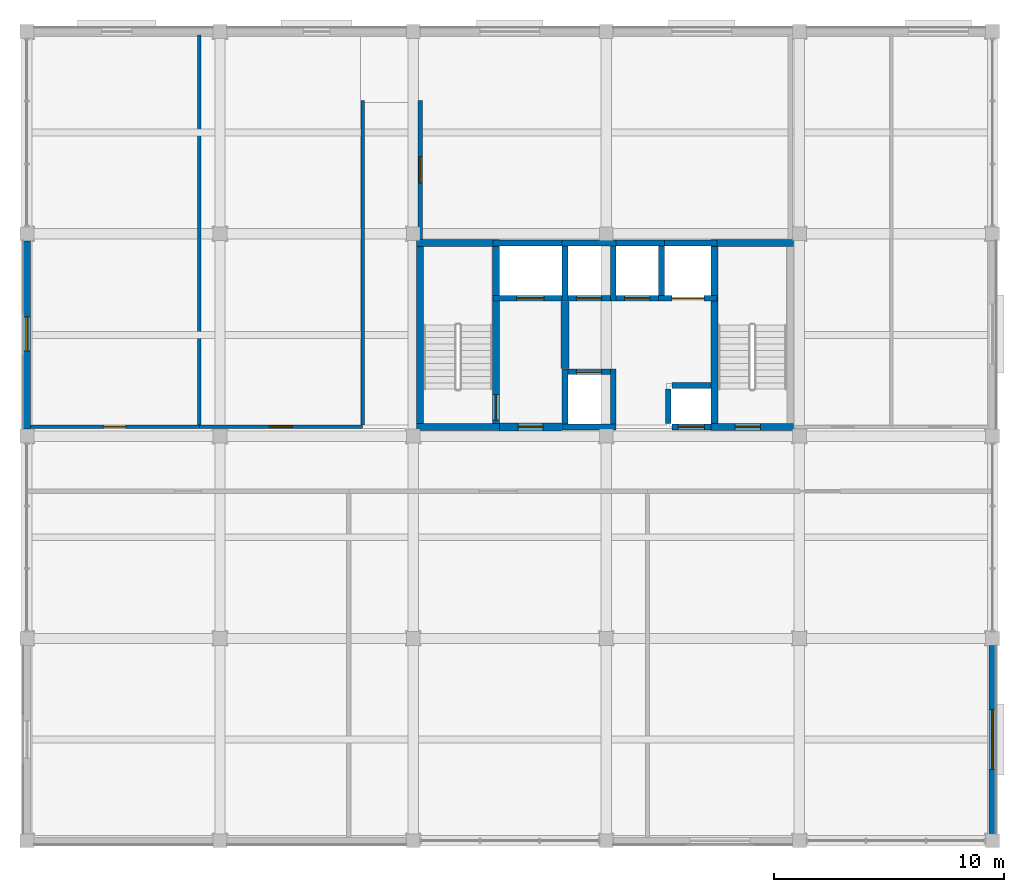
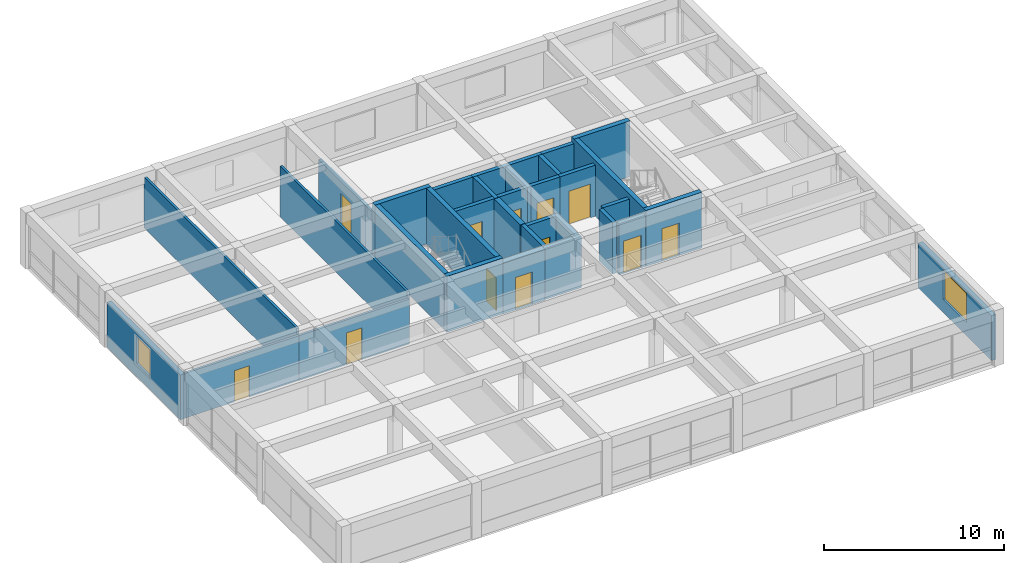
# One storey, part 8 of 14: 34 walls, 12 doors, 2 windows, 14 openings.
"""IFC4 building model written with IfcOpenShell, lengths in metres."""

from ifc_helpers import new_model, si_unit, direction, frame, frame_2d, origin, place, context, subcontext, project, spatial, rectangle, extrude, material, layer, layer_set, type_object, element, fill, save


model = new_model("IFC4")

# Units and contexts
model_context = context("Model", 3, precision=1e-05, world=origin(), true_north=direction((0.0, 1.0)))
body_context = subcontext(model_context, "Body", "Model", "MODEL_VIEW")
ifc_project = project(units=[si_unit("LENGTHUNIT", "METRE"), si_unit("AREAUNIT", "SQUARE_METRE"), si_unit("VOLUMEUNIT", "CUBIC_METRE"), si_unit("PLANEANGLEUNIT", "RADIAN"), si_unit("MASSUNIT", "GRAM", prefix="KILO")], contexts=[model_context])

# Site, building, storey
site_placement = place(None, origin())
site = spatial("IfcSite", under=ifc_project, at=site_placement, CompositionType="ELEMENT")
building_placement = place(site_placement, origin())
building = spatial("IfcBuilding", under=site, at=building_placement, Name="Kemercrest Conservatory and Botanical Centre", CompositionType="ELEMENT")
storey_placement = place(building_placement, frame((0.0, 0.0, 44.39990234375)))
storey = spatial("IfcBuildingStorey", under=building, at=storey_placement, Name="L11", CompositionType="ELEMENT", Elevation=44.39990234375)

# Wall
ifc_material_1 = material(Name="Concrete C50/60", Category="concrete")
ifc_layer_1 = layer(ifc_material_1, 0.35009765625)
ifc_layer_set_1 = layer_set([ifc_layer_1], Name="Concrete C50/60")
wall_type_1 = type_object("IfcWallType", Name="CW-CORE", PredefinedType="SHEAR", material=ifc_layer_set_1)
wall_1_placement = place(storey_placement, frame((157.39990234375, 107.75, 0.0), z_axis=(0.0, 0.0, 1.0), x_axis=(0.0, 1.0, 0.0)))
element("IfcWall", 1, at=wall_1_placement, inside=storey, type_object=wall_type_1, Name="Firefighting lift lobby 2-hour separation shear wall", PredefinedType="SHEAR", context=body_context, shape_type="SweptSolid", body=[
    extrude(rectangle(XDim=2.89990234375, YDim=0.35009765625, at=frame_2d((1.449951171875, 0.0))), origin(), (0.0, 0.0, 1.0), 3.47998046875),
])

# Wall, opening, door
wall_2_placement = place(storey_placement, frame((154.550048828125, 105.199951171875, 0.0), z_axis=(0.0, 0.0, 1.0), x_axis=(1.0, 0.0, 0.0)))
wall_2 = element("IfcWall", 2, at=wall_2_placement, inside=storey, type_object=wall_type_1, Name="Firefighting lift lobby south shear wall", PredefinedType="SHEAR", context=body_context, shape_type="SweptSolid", body=[
    extrude(rectangle(XDim=2.699951171875, YDim=0.35009765625, at=frame_2d((1.35009765625, 0.0))), origin(), (0.0, 0.0, 1.0), 3.47998046875),
])
opening_1_placement = place(wall_2_placement, frame((0.800048828125, 0.0, 0.0)))
opening_1 = element("IfcOpeningElement", 3, at=opening_1_placement, cuts=wall_2, Name="Opening D093", PredefinedType="OPENING", context=body_context, shape_type="SweptSolid", body=[
    extrude(rectangle(XDim=1.10009765625, YDim=2.199951171875, at=frame_2d((0.550048828125, 1.10009765625))), frame((0.0, 0.18505859375, 0.0), z_axis=(0.0, -1.0, 0.0), x_axis=(1.0, 0.0, 0.0)), (0.0, 0.0, 1.0), 0.3701171875),
])
ifc_material_2 = material(Name="Powder-coated galvanized steel and fire-rated vision glass", Category="steel")
door_type_1 = type_object("IfcDoorType", Name="DT-FD90", OperationType="NOTDEFINED", PredefinedType="DOOR", material=ifc_material_2)
door_1_placement = place(opening_1_placement, origin())
door_1 = element("IfcDoor", 4, at=door_1_placement, inside=storey, type_object=door_type_1, Name="Firefighting lift lobby corridor fire door D093", OperationType="SINGLE_SWING_LEFT", OverallHeight=2.199951171875, OverallWidth=1.10009765625, PredefinedType="DOOR", context=body_context, shape_type="SweptSolid", body=[
    extrude(rectangle(XDim=1.10009765625, YDim=2.199951171875, at=frame_2d((0.550048828125, 1.10009765625))), frame((0.0, 0.02490234375, 0.0), z_axis=(0.0, -1.0, 0.0), x_axis=(1.0, 0.0, 0.0)), (0.0, 0.0, 1.0), 0.050048828125),
])
fill(opening_1, door_1)

# Walls
ifc_layer_2 = layer(ifc_material_1, 0.300048828125)
ifc_layer_set_2 = layer_set([ifc_layer_2], Name="Concrete C50/60")
wall_type_2 = type_object("IfcWallType", Name="CW-STAIR", PredefinedType="SHEAR", material=ifc_layer_set_2)
for number, where, z_axis, x_axis, name in (
    (5, (150.949951171875, 105.199951171875, 0.0), (0.0, 0.0, 1.0), (1.0, 0.0, 0.0), "Stair core ST-V4A shear wall S"),
    (6, (150.949951171875, 113.199951171875, 0.0), (0.0, 0.0, 1.0), (1.0, 0.0, 0.0), "Stair core ST-V4A shear wall N"),
):
    element("IfcWall", number, at=place(storey_placement, frame(where, z_axis=z_axis, x_axis=x_axis)), inside=storey, type_object=wall_type_2, Name=name, PredefinedType="SHEAR", context=body_context, shape_type="SweptSolid", body=[
        extrude(rectangle(XDim=3.60009765625, YDim=0.300048828125, at=frame_2d((1.800048828125, 0.0))), origin(), (0.0, 0.0, 1.0), 3.800048828125),
    ])
wall_3_placement = place(storey_placement, frame((151.10009765625, 105.050048828125, 0.0), z_axis=(0.0, 0.0, 1.0), x_axis=(0.0, 1.0, 0.0)))
element("IfcWall", 7, at=wall_3_placement, inside=storey, type_object=wall_type_2, Name="Stair core ST-V4A shear wall W", PredefinedType="SHEAR", context=body_context, shape_type="SweptSolid", body=[
    extrude(rectangle(XDim=8.300048828125, YDim=0.300048828125, at=frame_2d((4.14990234375, 0.0))), origin(), (0.0, 0.0, 1.0), 3.800048828125),
])

# Wall, opening, door
wall_4_placement = place(storey_placement, frame((154.39990234375, 105.050048828125, 0.0), z_axis=(0.0, 0.0, 1.0), x_axis=(0.0, 1.0, 0.0)))
wall_4 = element("IfcWall", 8, at=wall_4_placement, inside=storey, type_object=wall_type_2, Name="Stair core ST-V4A shear wall E", PredefinedType="SHEAR", context=body_context, shape_type="SweptSolid", body=[
    extrude(rectangle(XDim=8.300048828125, YDim=0.300048828125, at=frame_2d((4.14990234375, 0.0))), origin(), (0.0, 0.0, 1.0), 3.800048828125),
])
opening_2_placement = place(wall_4_placement, frame((0.449951171875, 0.0, 0.0)))
opening_2 = element("IfcOpeningElement", 9, at=opening_2_placement, cuts=wall_4, Name="Opening D037", PredefinedType="OPENING", context=body_context, shape_type="SweptSolid", body=[
    extrude(rectangle(XDim=1.10009765625, YDim=2.199951171875, at=frame_2d((0.550048828125, 1.10009765625))), frame((0.0, 0.16015625, 0.0), z_axis=(0.0, -1.0, 0.0), x_axis=(1.0, 0.0, 0.0)), (0.0, 0.0, 1.0), 0.320068359375),
])
door_2_placement = place(opening_2_placement, frame((1.10009765625, 0.0, 0.0), z_axis=(0.0, 0.0, 1.0), x_axis=(-1.0, 0.0, 0.0)))
door_2 = element("IfcDoor", 10, at=door_2_placement, inside=storey, type_object=door_type_1, Name="Exit stair ST-V4A fire door D037", OperationType="SINGLE_SWING_LEFT", OverallHeight=2.199951171875, OverallWidth=1.10009765625, PredefinedType="DOOR", context=body_context, shape_type="SweptSolid", body=[
    extrude(rectangle(XDim=1.10009765625, YDim=2.199951171875, at=frame_2d((0.550048828125, 1.10009765625))), frame((0.0, 0.02490234375, 0.0), z_axis=(0.0, -1.0, 0.0), x_axis=(1.0, 0.0, 0.0)), (0.0, 0.0, 1.0), 0.050048828125),
])
fill(opening_2, door_2)

wall_5_placement = place(storey_placement, frame((163.75, 105.199951171875, 0.0), z_axis=(0.0, 0.0, 1.0), x_axis=(1.0, 0.0, 0.0)))
wall_5 = element("IfcWall", 11, at=wall_5_placement, inside=storey, type_object=wall_type_2, Name="Stair core ST-V4B shear wall S", PredefinedType="SHEAR", context=body_context, shape_type="SweptSolid", body=[
    extrude(rectangle(XDim=3.60009765625, YDim=0.300048828125, at=frame_2d((1.800048828125, 0.0))), origin(), (0.0, 0.0, 1.0), 3.800048828125),
])
opening_3_placement = place(wall_5_placement, frame((1.050048828125, 0.0, 0.0)))
opening_3 = element("IfcOpeningElement", 12, at=opening_3_placement, cuts=wall_5, Name="Opening D056", PredefinedType="OPENING", context=body_context, shape_type="SweptSolid", body=[
    extrude(rectangle(XDim=1.10009765625, YDim=2.199951171875, at=frame_2d((0.550048828125, 1.10009765625))), frame((0.0, 0.16015625, 0.0), z_axis=(0.0, -1.0, 0.0), x_axis=(1.0, 0.0, 0.0)), (0.0, 0.0, 1.0), 0.320068359375),
])
door_3_placement = place(opening_3_placement, origin())
door_3 = element("IfcDoor", 13, at=door_3_placement, inside=storey, type_object=door_type_1, Name="Exit stair ST-V4B fire door D056", OperationType="SINGLE_SWING_RIGHT", OverallHeight=2.199951171875, OverallWidth=1.10009765625, PredefinedType="DOOR", context=body_context, shape_type="SweptSolid", body=[
    extrude(rectangle(XDim=1.10009765625, YDim=2.199951171875, at=frame_2d((0.550048828125, 1.10009765625))), frame((0.0, 0.02490234375, 0.0), z_axis=(0.0, -1.0, 0.0), x_axis=(1.0, 0.0, 0.0)), (0.0, 0.0, 1.0), 0.050048828125),
])
fill(opening_3, door_3)

# Walls
wall_6_placement = place(storey_placement, frame((163.75, 113.199951171875, 0.0), z_axis=(0.0, 0.0, 1.0), x_axis=(1.0, 0.0, 0.0)))
element("IfcWall", 14, at=wall_6_placement, inside=storey, type_object=wall_type_2, Name="Stair core ST-V4B shear wall N", PredefinedType="SHEAR", context=body_context, shape_type="SweptSolid", body=[
    extrude(rectangle(XDim=3.60009765625, YDim=0.300048828125, at=frame_2d((1.800048828125, 0.0))), origin(), (0.0, 0.0, 1.0), 3.800048828125),
])
wall_7_placement = place(storey_placement, frame((163.89990234375, 105.050048828125, 0.0), z_axis=(0.0, 0.0, 1.0), x_axis=(0.0, 1.0, 0.0)))
element("IfcWall", 15, at=wall_7_placement, inside=storey, type_object=wall_type_2, Name="Stair core ST-V4B shear wall W", PredefinedType="SHEAR", context=body_context, shape_type="SweptSolid", body=[
    extrude(rectangle(XDim=8.300048828125, YDim=0.300048828125, at=frame_2d((4.14990234375, 0.0))), origin(), (0.0, 0.0, 1.0), 3.800048828125),
])

# Wall, opening, window
ifc_material_3 = material(Name="Precast concrete C40/50", Category="concrete")
ifc_layer_3 = layer(ifc_material_3, 0.300048828125)
ifc_layer_set_3 = layer_set([ifc_layer_3], Name="Precast concrete C40/50")
wall_type_3 = type_object("IfcWallType", Name="W-EXT300", PredefinedType="SOLIDWALL", material=ifc_layer_set_3)
wall_8_placement = place(storey_placement, frame((176.0, 87.510009765625, 0.0), z_axis=(0.0, 0.0, 1.0), x_axis=(0.0, 1.0, 0.0)))
wall_8 = element("IfcWall", 16, at=wall_8_placement, inside=storey, type_object=wall_type_3, Name="Exterior almasik wall W-EXT300 (WAL:L11:EXT-303)", PredefinedType="SOLIDWALL", context=body_context, shape_type="SweptSolid", body=[
    extrude(rectangle(XDim=8.179931640625, YDim=0.300048828125, at=frame_2d((4.08984375, 0.0))), origin(), (0.0, 0.0, 1.0), 3.050048828125),
])
opening_4_placement = place(wall_8_placement, frame((2.7900390625, 0.0, 0.89990234375)))
opening_4 = element("IfcOpeningElement", 17, at=opening_4_placement, cuts=wall_8, Name="Opening WT-10", PredefinedType="OPENING", context=body_context, shape_type="SweptSolid", body=[
    extrude(rectangle(XDim=2.60009765625, YDim=2.0, at=frame_2d((1.300048828125, 1.0))), frame((0.0, 0.16015625, 0.0), z_axis=(0.0, -1.0, 0.0), x_axis=(1.0, 0.0, 0.0)), (0.0, 0.0, 1.0), 0.320068359375),
])
ifc_material_4 = material(Name="Thermally broken bronze-anodized aluminium and triple glazing", Category="aluminium")
window_type_1 = type_object("IfcWindowType", Name="WT-10", PartitioningType="SINGLE_PANEL", PredefinedType="WINDOW", material=ifc_material_4)
window_1_placement = place(opening_4_placement, origin())
window_1 = element("IfcWindow", 18, at=window_1_placement, inside=storey, type_object=window_type_1, Name="Exterior window WT-10 (WIN:L11:EXT-303)", OverallHeight=2.0, OverallWidth=2.60009765625, PartitioningType="SINGLE_PANEL", PredefinedType="WINDOW", context=body_context, shape_type="SweptSolid", body=[
    extrude(rectangle(XDim=2.60009765625, YDim=2.0, at=frame_2d((1.300048828125, 1.0))), frame((0.0, 0.030029296875, 0.0), z_axis=(0.0, -1.0, 0.0), x_axis=(1.0, 0.0, 0.0)), (0.0, 0.0, 1.0), 0.06005859375),
])
fill(opening_4, window_1)

wall_9_placement = place(storey_placement, frame((134.0, 113.2900390625, 0.0), z_axis=(0.0, 0.0, 1.0), x_axis=(0.0, -1.0, 0.0)))
wall_9 = element("IfcWall", 19, at=wall_9_placement, inside=storey, type_object=wall_type_3, Name="Exterior almasik wall W-EXT300 (WAL:L11:EXT-310)", PredefinedType="SOLIDWALL", context=body_context, shape_type="SweptSolid", body=[
    extrude(rectangle(XDim=8.179931640625, YDim=0.300048828125, at=frame_2d((4.08984375, 0.0))), origin(), (0.0, 0.0, 1.0), 3.050048828125),
])
opening_5_placement = place(wall_9_placement, frame((3.304931640625, 0.0, 0.89990234375)))
opening_5 = element("IfcOpeningElement", 20, at=opening_5_placement, cuts=wall_9, Name="Opening WT-47", PredefinedType="OPENING", context=body_context, shape_type="SweptSolid", body=[
    extrude(rectangle(XDim=1.47998046875, YDim=1.840087890625, at=frame_2d((0.739990234375, 0.919921875))), frame((0.0, 0.16015625, 0.0), z_axis=(0.0, -1.0, 0.0), x_axis=(1.0, 0.0, 0.0)), (0.0, 0.0, 1.0), 0.320068359375),
])
window_type_2 = type_object("IfcWindowType", Name="WT-47", PartitioningType="SINGLE_PANEL", PredefinedType="WINDOW", material=ifc_material_4)
window_2_placement = place(opening_5_placement, origin())
window_2 = element("IfcWindow", 21, at=window_2_placement, inside=storey, type_object=window_type_2, Name="Exterior window WT-47 (WIN:L11:EXT-310)", OverallHeight=1.840087890625, OverallWidth=1.47998046875, PartitioningType="SINGLE_PANEL", PredefinedType="WINDOW", context=body_context, shape_type="SweptSolid", body=[
    extrude(rectangle(XDim=1.47998046875, YDim=1.840087890625, at=frame_2d((0.739990234375, 0.919921875))), frame((0.0, 0.030029296875, 0.0), z_axis=(0.0, -1.0, 0.0), x_axis=(1.0, 0.0, 0.0)), (0.0, 0.0, 1.0), 0.06005859375),
])
fill(opening_5, window_2)

# Wall, opening, door
ifc_material_5 = material(Name="Concrete C40/50", Category="concrete")
ifc_layer_4 = layer(ifc_material_5, 0.199951171875)
ifc_layer_set_4 = layer_set([ifc_layer_4], Name="Concrete C40/50")
wall_type_4 = type_object("IfcWallType", Name="W-FIRE", PredefinedType="PARTITIONING", material=ifc_layer_set_4)
wall_10_placement = place(storey_placement, frame((151.10009765625, 113.35498046875, 0.0), z_axis=(0.0, 0.0, 1.0), x_axis=(0.0, 1.0, 0.0)))
wall_10 = element("IfcWall", 22, at=wall_10_placement, inside=storey, type_object=wall_type_4, Name="Interior partition W-FIRE #262", PredefinedType="PARTITIONING", context=body_context, shape_type="SweptSolid", body=[
    extrude(rectangle(XDim=6.044921875, YDim=0.199951171875, at=frame_2d((3.0224609375, 0.0))), origin(), (0.0, 0.0, 1.0), 3.045166015625),
])
opening_6_placement = place(wall_10_placement, frame((2.447509765625, 0.0, 0.0)))
opening_6 = element("IfcOpeningElement", 23, at=opening_6_placement, cuts=wall_10, Name="Opening D256", PredefinedType="OPENING", context=body_context, shape_type="SweptSolid", body=[
    extrude(rectangle(XDim=1.14990234375, YDim=2.199951171875, at=frame_2d((0.574951171875, 1.10009765625))), frame((0.0, 0.10986328125, 0.0), z_axis=(0.0, -1.0, 0.0), x_axis=(1.0, 0.0, 0.0)), (0.0, 0.0, 1.0), 0.219970703125),
])
door_type_2 = type_object("IfcDoorType", Name="DT-FD60", OperationType="NOTDEFINED", PredefinedType="DOOR", material=ifc_material_2)
door_4_placement = place(opening_6_placement, origin())
door_4 = element("IfcDoor", 24, at=door_4_placement, inside=storey, type_object=door_type_2, Name="Heat-Recovery Mechanical Plant Room door D256", OperationType="SINGLE_SWING_RIGHT", OverallHeight=2.199951171875, OverallWidth=1.14990234375, PredefinedType="DOOR", context=body_context, shape_type="SweptSolid", body=[
    extrude(rectangle(XDim=1.14990234375, YDim=2.199951171875, at=frame_2d((0.574951171875, 1.10009765625))), frame((0.0, 0.02490234375, 0.0), z_axis=(0.0, -1.0, 0.0), x_axis=(1.0, 0.0, 0.0)), (0.0, 0.0, 1.0), 0.050048828125),
])
fill(opening_6, door_4)

ifc_material_6 = material(Name="Steel-stud gypsum board partition", Category="steel")
ifc_layer_5 = layer(ifc_material_6, 0.14990234375)
ifc_layer_set_5 = layer_set([ifc_layer_5], Name="Steel-stud gypsum board partition")
wall_type_5 = type_object("IfcWallType", Name="W-PART150", PredefinedType="PARTITIONING", material=ifc_layer_set_5)
wall_11_placement = place(storey_placement, frame((134.155029296875, 105.199951171875, 0.0), z_axis=(0.0, 0.0, 1.0), x_axis=(1.0, 0.0, 0.0)))
wall_11 = element("IfcWall", 25, at=wall_11_placement, inside=storey, type_object=wall_type_5, Name="Interior partition W-PART150 #257", PredefinedType="PARTITIONING", context=body_context, shape_type="SweptSolid", body=[
    extrude(rectangle(XDim=7.344970703125, YDim=0.14990234375, at=frame_2d((3.67236328125, 0.0))), origin(), (0.0, 0.0, 1.0), 3.045166015625),
])
opening_7_placement = place(wall_11_placement, frame((3.202392578125, 0.0, 0.0)))
opening_7 = element("IfcOpeningElement", 26, at=opening_7_placement, cuts=wall_11, Name="Opening D252", PredefinedType="OPENING", context=body_context, shape_type="SweptSolid", body=[
    extrude(rectangle(XDim=0.93994140625, YDim=2.1201171875, at=frame_2d((0.469970703125, 1.06005859375))), frame((0.0, 0.0849609375, 0.0), z_axis=(0.0, -1.0, 0.0), x_axis=(1.0, 0.0, 0.0)), (0.0, 0.0, 1.0), 0.169921875),
])
ifc_material_7 = material(Name="FSC solid-core white oak veneer and anodized aluminium frame", Category="aluminium")
door_type_3 = type_object("IfcDoorType", Name="DT-33", OperationType="NOTDEFINED", PredefinedType="DOOR", material=ifc_material_7)
door_5_placement = place(opening_7_placement, origin())
door_5 = element("IfcDoor", 27, at=door_5_placement, inside=storey, type_object=door_type_3, Name="Desiccation Preparation Studio door D252", OperationType="SINGLE_SWING_RIGHT", OverallHeight=2.1201171875, OverallWidth=0.93994140625, PredefinedType="DOOR", context=body_context, shape_type="SweptSolid", body=[
    extrude(rectangle(XDim=0.93994140625, YDim=2.1201171875, at=frame_2d((0.469970703125, 1.06005859375))), frame((0.0, 0.02490234375, 0.0), z_axis=(0.0, -1.0, 0.0), x_axis=(1.0, 0.0, 0.0)), (0.0, 0.0, 1.0), 0.050048828125),
])
fill(opening_7, door_5)

wall_12_placement = place(storey_placement, frame((141.5, 105.199951171875, 0.0), z_axis=(0.0, 0.0, 1.0), x_axis=(1.0, 0.0, 0.0)))
wall_12 = element("IfcWall", 28, at=wall_12_placement, inside=storey, type_object=wall_type_5, Name="Interior partition W-PART150 #258", PredefinedType="PARTITIONING", context=body_context, shape_type="SweptSolid", body=[
    extrude(rectangle(XDim=7.10009765625, YDim=0.14990234375, at=frame_2d((3.550048828125, 0.0))), origin(), (0.0, 0.0, 1.0), 3.045166015625),
])
opening_8_placement = place(wall_12_placement, frame((3.050048828125, 0.0, 0.0)))
opening_8 = element("IfcOpeningElement", 29, at=opening_8_placement, cuts=wall_12, Name="Opening D253", PredefinedType="OPENING", context=body_context, shape_type="SweptSolid", body=[
    extrude(rectangle(XDim=1.0, YDim=2.159912109375, at=frame_2d((0.5, 1.080078125))), frame((0.0, 0.0849609375, 0.0), z_axis=(0.0, -1.0, 0.0), x_axis=(1.0, 0.0, 0.0)), (0.0, 0.0, 1.0), 0.169921875),
])
door_type_4 = type_object("IfcDoorType", Name="DT-34", OperationType="NOTDEFINED", PredefinedType="DOOR", material=ifc_material_7)
door_6_placement = place(opening_8_placement, origin())
door_6 = element("IfcDoor", 30, at=door_6_placement, inside=storey, type_object=door_type_4, Name="Environmental Control Office door D253", OperationType="SINGLE_SWING_LEFT", OverallHeight=2.159912109375, OverallWidth=1.0, PredefinedType="DOOR", context=body_context, shape_type="SweptSolid", body=[
    extrude(rectangle(XDim=1.0, YDim=2.159912109375, at=frame_2d((0.5, 1.080078125))), frame((0.0, 0.02490234375, 0.0), z_axis=(0.0, -1.0, 0.0), x_axis=(1.0, 0.0, 0.0)), (0.0, 0.0, 1.0), 0.050048828125),
])
fill(opening_8, door_6)

# Walls
wall_13_placement = place(storey_placement, frame((148.60009765625, 105.280029296875, 0.0), z_axis=(0.0, 0.0, 1.0), x_axis=(0.0, 1.0, 0.0)))
element("IfcWall", 31, at=wall_13_placement, inside=storey, type_object=wall_type_5, Name="Interior partition W-PART150 #261", PredefinedType="PARTITIONING", context=body_context, shape_type="SweptSolid", body=[
    extrude(rectangle(XDim=14.119873046875, YDim=0.14990234375, at=frame_2d((7.06005859375, 0.0))), origin(), (0.0, 0.0, 1.0), 3.465087890625),
])
wall_14_placement = place(storey_placement, frame((141.5, 105.280029296875, 0.0), z_axis=(0.0, 0.0, 1.0), x_axis=(0.0, 1.0, 0.0)))
element("IfcWall", 32, at=wall_14_placement, inside=storey, type_object=wall_type_5, Name="Interior partition W-PART150 #265", PredefinedType="PARTITIONING", context=body_context, shape_type="SweptSolid", body=[
    extrude(rectangle(XDim=16.965087890625, YDim=0.14990234375, at=frame_2d((8.482421875, 0.0))), origin(), (0.0, 0.0, 1.0), 3.465087890625),
])

# Wall, opening, door
ifc_layer_6 = layer(ifc_material_5, 0.25)
ifc_layer_set_6 = layer_set([ifc_layer_6], Name="Concrete C40/50")
wall_type_6 = type_object("IfcWallType", Name="W-SHFT250", PredefinedType="SOLIDWALL", material=ifc_layer_set_6)
wall_15_placement = place(storey_placement, frame((154.27490234375, 110.800048828125, 0.0), z_axis=(0.0, 0.0, 1.0), x_axis=(1.0, 0.0, 0.0)))
wall_15 = element("IfcWall", 33, at=wall_15_placement, inside=storey, type_object=wall_type_6, Name="Elevator LF-FF1 shaft wall south", PredefinedType="SOLIDWALL", context=body_context, shape_type="SweptSolid", body=[
    extrude(rectangle(XDim=3.25, YDim=0.25, at=frame_2d((1.625, 0.0))), origin(), (0.0, 0.0, 1.0), 3.47998046875),
])
opening_9_placement = place(wall_15_placement, frame((1.02490234375, 0.0, 0.0)))
opening_9 = element("IfcOpeningElement", 34, at=opening_9_placement, cuts=wall_15, Name="Opening LD-013", PredefinedType="OPENING", context=body_context, shape_type="SweptSolid", body=[
    extrude(rectangle(XDim=1.199951171875, YDim=2.199951171875, at=frame_2d((0.60009765625, 1.10009765625))), frame((0.0, 0.135009765625, 0.0), z_axis=(0.0, -1.0, 0.0), x_axis=(1.0, 0.0, 0.0)), (0.0, 0.0, 1.0), 0.27001953125),
])
door_type_5 = type_object("IfcDoorType", Name="DT-LD02", OperationType="SLIDING_TO_LEFT", PredefinedType="DOOR", material=ifc_material_2)
door_7_placement = place(opening_9_placement, origin())
door_7 = element("IfcDoor", 35, at=door_7_placement, inside=storey, type_object=door_type_5, Name="Elevator LF-FF1 sliding landing door LD-013", OperationType="SLIDING_TO_LEFT", OverallHeight=2.199951171875, OverallWidth=1.199951171875, PredefinedType="DOOR", context=body_context, shape_type="SweptSolid", body=[
    extrude(rectangle(XDim=1.199951171875, YDim=2.199951171875, at=frame_2d((0.60009765625, 1.10009765625))), frame((0.0, 0.02490234375, 0.0), z_axis=(0.0, -1.0, 0.0), x_axis=(1.0, 0.0, 0.0)), (0.0, 0.0, 1.0), 0.050048828125),
])
fill(opening_9, door_7)

# Walls
wall_16_placement = place(storey_placement, frame((154.27490234375, 113.199951171875, 0.0), z_axis=(0.0, 0.0, 1.0), x_axis=(1.0, 0.0, 0.0)))
element("IfcWall", 36, at=wall_16_placement, inside=storey, type_object=wall_type_6, Name="Elevator LF-FF1 shaft wall north", PredefinedType="SOLIDWALL", context=body_context, shape_type="SweptSolid", body=[
    extrude(rectangle(XDim=3.25, YDim=0.25, at=frame_2d((1.625, 0.0))), origin(), (0.0, 0.0, 1.0), 3.47998046875),
])
wall_17_placement = place(storey_placement, frame((157.39990234375, 110.675048828125, 0.0), z_axis=(0.0, 0.0, 1.0), x_axis=(0.0, 1.0, 0.0)))
element("IfcWall", 37, at=wall_17_placement, inside=storey, type_object=wall_type_6, Name="Elevator LF-FF1 shaft wall east", PredefinedType="SOLIDWALL", context=body_context, shape_type="SweptSolid", body=[
    extrude(rectangle(XDim=2.64990234375, YDim=0.25, at=frame_2d((1.324951171875, 0.0))), origin(), (0.0, 0.0, 1.0), 3.47998046875),
])

# Wall, opening, door
wall_18_placement = place(storey_placement, frame((157.27490234375, 110.800048828125, 0.0), z_axis=(0.0, 0.0, 1.0), x_axis=(1.0, 0.0, 0.0)))
wall_18 = element("IfcWall", 38, at=wall_18_placement, inside=storey, type_object=wall_type_6, Name="Elevator LF-P1 shaft wall south", PredefinedType="SOLIDWALL", context=body_context, shape_type="SweptSolid", body=[
    extrude(rectangle(XDim=2.35009765625, YDim=0.25, at=frame_2d((1.175048828125, 0.0))), origin(), (0.0, 0.0, 1.0), 3.47998046875),
])
opening_10_placement = place(wall_18_placement, frame((0.625, 0.0, 0.0)))
opening_10 = element("IfcOpeningElement", 39, at=opening_10_placement, cuts=wall_18, Name="Opening LD-032", PredefinedType="OPENING", context=body_context, shape_type="SweptSolid", body=[
    extrude(rectangle(XDim=1.10009765625, YDim=2.199951171875, at=frame_2d((0.550048828125, 1.10009765625))), frame((0.0, 0.135009765625, 0.0), z_axis=(0.0, -1.0, 0.0), x_axis=(1.0, 0.0, 0.0)), (0.0, 0.0, 1.0), 0.27001953125),
])
door_type_6 = type_object("IfcDoorType", Name="DT-LD01", OperationType="SLIDING_TO_LEFT", PredefinedType="DOOR", material=ifc_material_2)
door_8_placement = place(opening_10_placement, origin())
door_8 = element("IfcDoor", 40, at=door_8_placement, inside=storey, type_object=door_type_6, Name="Elevator LF-P1 sliding landing door LD-032", OperationType="SLIDING_TO_LEFT", OverallHeight=2.199951171875, OverallWidth=1.10009765625, PredefinedType="DOOR", context=body_context, shape_type="SweptSolid", body=[
    extrude(rectangle(XDim=1.10009765625, YDim=2.199951171875, at=frame_2d((0.550048828125, 1.10009765625))), frame((0.0, 0.02490234375, 0.0), z_axis=(0.0, -1.0, 0.0), x_axis=(1.0, 0.0, 0.0)), (0.0, 0.0, 1.0), 0.050048828125),
])
fill(opening_10, door_8)

# Walls
wall_19_placement = place(storey_placement, frame((157.27490234375, 113.199951171875, 0.0), z_axis=(0.0, 0.0, 1.0), x_axis=(1.0, 0.0, 0.0)))
element("IfcWall", 41, at=wall_19_placement, inside=storey, type_object=wall_type_6, Name="Elevator LF-P1 shaft wall north", PredefinedType="SOLIDWALL", context=body_context, shape_type="SweptSolid", body=[
    extrude(rectangle(XDim=2.35009765625, YDim=0.25, at=frame_2d((1.175048828125, 0.0))), origin(), (0.0, 0.0, 1.0), 3.47998046875),
])
wall_20_placement = place(storey_placement, frame((159.5, 110.675048828125, 0.0), z_axis=(0.0, 0.0, 1.0), x_axis=(0.0, 1.0, 0.0)))
element("IfcWall", 42, at=wall_20_placement, inside=storey, type_object=wall_type_6, Name="Elevator LF-P1 shaft wall east", PredefinedType="SOLIDWALL", context=body_context, shape_type="SweptSolid", body=[
    extrude(rectangle(XDim=2.64990234375, YDim=0.25, at=frame_2d((1.324951171875, 0.0))), origin(), (0.0, 0.0, 1.0), 3.47998046875),
])

# Wall, opening, door
wall_21_placement = place(storey_placement, frame((159.375, 110.800048828125, 0.0), z_axis=(0.0, 0.0, 1.0), x_axis=(1.0, 0.0, 0.0)))
wall_21 = element("IfcWall", 43, at=wall_21_placement, inside=storey, type_object=wall_type_6, Name="Elevator LF-P2 shaft wall south", PredefinedType="SOLIDWALL", context=body_context, shape_type="SweptSolid", body=[
    extrude(rectangle(XDim=2.35009765625, YDim=0.25, at=frame_2d((1.175048828125, 0.0))), origin(), (0.0, 0.0, 1.0), 3.47998046875),
])
opening_11_placement = place(wall_21_placement, frame((0.625, 0.0, 0.0)))
opening_11 = element("IfcOpeningElement", 44, at=opening_11_placement, cuts=wall_21, Name="Opening LD-051", PredefinedType="OPENING", context=body_context, shape_type="SweptSolid", body=[
    extrude(rectangle(XDim=1.10009765625, YDim=2.199951171875, at=frame_2d((0.550048828125, 1.10009765625))), frame((0.0, 0.135009765625, 0.0), z_axis=(0.0, -1.0, 0.0), x_axis=(1.0, 0.0, 0.0)), (0.0, 0.0, 1.0), 0.27001953125),
])
door_9_placement = place(opening_11_placement, origin())
door_9 = element("IfcDoor", 45, at=door_9_placement, inside=storey, type_object=door_type_6, Name="Elevator LF-P2 sliding landing door LD-051", OperationType="SLIDING_TO_LEFT", OverallHeight=2.199951171875, OverallWidth=1.10009765625, PredefinedType="DOOR", context=body_context, shape_type="SweptSolid", body=[
    extrude(rectangle(XDim=1.10009765625, YDim=2.199951171875, at=frame_2d((0.550048828125, 1.10009765625))), frame((0.0, 0.02490234375, 0.0), z_axis=(0.0, -1.0, 0.0), x_axis=(1.0, 0.0, 0.0)), (0.0, 0.0, 1.0), 0.050048828125),
])
fill(opening_11, door_9)

# Walls
wall_22_placement = place(storey_placement, frame((159.375, 113.199951171875, 0.0), z_axis=(0.0, 0.0, 1.0), x_axis=(1.0, 0.0, 0.0)))
element("IfcWall", 46, at=wall_22_placement, inside=storey, type_object=wall_type_6, Name="Elevator LF-P2 shaft wall north", PredefinedType="SOLIDWALL", context=body_context, shape_type="SweptSolid", body=[
    extrude(rectangle(XDim=2.35009765625, YDim=0.25, at=frame_2d((1.175048828125, 0.0))), origin(), (0.0, 0.0, 1.0), 3.47998046875),
])
wall_23_placement = place(storey_placement, frame((161.60009765625, 110.675048828125, 0.0), z_axis=(0.0, 0.0, 1.0), x_axis=(0.0, 1.0, 0.0)))
element("IfcWall", 47, at=wall_23_placement, inside=storey, type_object=wall_type_6, Name="Elevator LF-P2 shaft wall east", PredefinedType="SOLIDWALL", context=body_context, shape_type="SweptSolid", body=[
    extrude(rectangle(XDim=2.64990234375, YDim=0.25, at=frame_2d((1.324951171875, 0.0))), origin(), (0.0, 0.0, 1.0), 3.47998046875),
])
wall_24_placement = place(storey_placement, frame((157.27490234375, 105.199951171875, 0.0), z_axis=(0.0, 0.0, 1.0), x_axis=(1.0, 0.0, 0.0)))
element("IfcWall", 48, at=wall_24_placement, inside=storey, type_object=wall_type_6, Name="Elevator LF-P3 shaft wall south", PredefinedType="SOLIDWALL", context=body_context, shape_type="SweptSolid", body=[
    extrude(rectangle(XDim=2.35009765625, YDim=0.25, at=frame_2d((1.175048828125, 0.0))), origin(), (0.0, 0.0, 1.0), 3.47998046875),
])

# Wall, opening, door
wall_25_placement = place(storey_placement, frame((157.27490234375, 107.60009765625, 0.0), z_axis=(0.0, 0.0, 1.0), x_axis=(1.0, 0.0, 0.0)))
wall_25 = element("IfcWall", 49, at=wall_25_placement, inside=storey, type_object=wall_type_6, Name="Elevator LF-P3 shaft wall north", PredefinedType="SOLIDWALL", context=body_context, shape_type="SweptSolid", body=[
    extrude(rectangle(XDim=2.35009765625, YDim=0.25, at=frame_2d((1.175048828125, 0.0))), origin(), (0.0, 0.0, 1.0), 3.47998046875),
])
opening_12_placement = place(wall_25_placement, frame((0.625, 0.0, 0.0)))
opening_12 = element("IfcOpeningElement", 50, at=opening_12_placement, cuts=wall_25, Name="Opening LD-069", PredefinedType="OPENING", context=body_context, shape_type="SweptSolid", body=[
    extrude(rectangle(XDim=1.10009765625, YDim=2.199951171875, at=frame_2d((0.550048828125, 1.10009765625))), frame((0.0, 0.135009765625, 0.0), z_axis=(0.0, -1.0, 0.0), x_axis=(1.0, 0.0, 0.0)), (0.0, 0.0, 1.0), 0.27001953125),
])
door_10_placement = place(opening_12_placement, origin())
door_10 = element("IfcDoor", 51, at=door_10_placement, inside=storey, type_object=door_type_6, Name="Elevator LF-P3 sliding landing door LD-069", OperationType="SLIDING_TO_LEFT", OverallHeight=2.199951171875, OverallWidth=1.10009765625, PredefinedType="DOOR", context=body_context, shape_type="SweptSolid", body=[
    extrude(rectangle(XDim=1.10009765625, YDim=2.199951171875, at=frame_2d((0.550048828125, 1.10009765625))), frame((0.0, 0.02490234375, 0.0), z_axis=(0.0, -1.0, 0.0), x_axis=(1.0, 0.0, 0.0)), (0.0, 0.0, 1.0), 0.050048828125),
])
fill(opening_12, door_10)

# Walls
for number, where, z_axis, x_axis, name in (
    (52, (157.39990234375, 105.074951171875, 0.0), (0.0, 0.0, 1.0), (0.0, 1.0, 0.0), "Elevator LF-P3 shaft wall west"),
    (53, (159.5, 105.074951171875, 0.0), (0.0, 0.0, 1.0), (0.0, 1.0, 0.0), "Elevator LF-P3 shaft wall east"),
):
    element("IfcWall", number, at=place(storey_placement, frame(where, z_axis=z_axis, x_axis=x_axis)), inside=storey, type_object=wall_type_6, Name=name, PredefinedType="SOLIDWALL", context=body_context, shape_type="SweptSolid", body=[
        extrude(rectangle(XDim=2.650146484375, YDim=0.25, at=frame_2d((1.3251953125, 0.0))), origin(), (0.0, 0.0, 1.0), 3.47998046875),
    ])

# Wall, opening, door
wall_26_placement = place(storey_placement, frame((161.47509765625, 110.800048828125, 0.0), z_axis=(0.0, 0.0, 1.0), x_axis=(1.0, 0.0, 0.0)))
wall_26 = element("IfcWall", 54, at=wall_26_placement, inside=storey, type_object=wall_type_6, Name="Elevator LF-G1 shaft wall south", PredefinedType="SOLIDWALL", context=body_context, shape_type="SweptSolid", body=[
    extrude(rectangle(XDim=2.5498046875, YDim=0.25, at=frame_2d((1.27490234375, 0.0))), origin(), (0.0, 0.0, 1.0), 3.47998046875),
])
opening_13_placement = place(wall_26_placement, frame((0.574951171875, 0.0, 0.0)))
opening_13 = element("IfcOpeningElement", 55, at=opening_13_placement, cuts=wall_26, Name="Opening LD-087", PredefinedType="OPENING", context=body_context, shape_type="SweptSolid", body=[
    extrude(rectangle(XDim=1.39990234375, YDim=2.300048828125, at=frame_2d((0.699951171875, 1.14990234375))), frame((0.0, 0.135009765625, 0.0), z_axis=(0.0, -1.0, 0.0), x_axis=(1.0, 0.0, 0.0)), (0.0, 0.0, 1.0), 0.27001953125),
])
door_type_7 = type_object("IfcDoorType", Name="DT-LD03", OperationType="SLIDING_TO_LEFT", PredefinedType="DOOR", material=ifc_material_2)
door_11_placement = place(opening_13_placement, origin())
door_11 = element("IfcDoor", 56, at=door_11_placement, inside=storey, type_object=door_type_7, Name="Elevator LF-G1 sliding landing door LD-087", OperationType="SLIDING_TO_LEFT", OverallHeight=2.300048828125, OverallWidth=1.39990234375, PredefinedType="DOOR", context=body_context, shape_type="SweptSolid", body=[
    extrude(rectangle(XDim=1.39990234375, YDim=2.300048828125, at=frame_2d((0.699951171875, 1.14990234375))), frame((0.0, 0.02490234375, 0.0), z_axis=(0.0, -1.0, 0.0), x_axis=(1.0, 0.0, 0.0)), (0.0, 0.0, 1.0), 0.050048828125),
])
fill(opening_13, door_11)

# Walls
wall_27_placement = place(storey_placement, frame((161.47509765625, 113.199951171875, 0.0), z_axis=(0.0, 0.0, 1.0), x_axis=(1.0, 0.0, 0.0)))
element("IfcWall", 57, at=wall_27_placement, inside=storey, type_object=wall_type_6, Name="Elevator LF-G1 shaft wall north", PredefinedType="SOLIDWALL", context=body_context, shape_type="SweptSolid", body=[
    extrude(rectangle(XDim=2.5498046875, YDim=0.25, at=frame_2d((1.27490234375, 0.0))), origin(), (0.0, 0.0, 1.0), 3.47998046875),
])
wall_28_placement = place(storey_placement, frame((161.89990234375, 105.35009765625, 0.0), z_axis=(0.0, 0.0, 1.0), x_axis=(0.0, 1.0, 0.0)))
element("IfcWall", 58, at=wall_28_placement, inside=storey, type_object=wall_type_6, Name="Core service riser shaft wall W", PredefinedType="SOLIDWALL", context=body_context, shape_type="SweptSolid", body=[
    extrude(rectangle(XDim=1.5, YDim=0.25, at=frame_2d((0.75, 0.0))), origin(), (0.0, 0.0, 1.0), 3.47998046875),
])
wall_29_placement = place(storey_placement, frame((162.050048828125, 107.0, 0.0), z_axis=(0.0, 0.0, 1.0), x_axis=(1.0, 0.0, 0.0)))
element("IfcWall", 59, at=wall_29_placement, inside=storey, type_object=wall_type_6, Name="Core service riser shaft wall N", PredefinedType="SOLIDWALL", context=body_context, shape_type="SweptSolid", body=[
    extrude(rectangle(XDim=1.699951171875, YDim=0.25, at=frame_2d((0.85009765625, 0.0))), origin(), (0.0, 0.0, 1.0), 3.47998046875),
])

# Wall, opening, door
wall_30_placement = place(storey_placement, frame((162.050048828125, 105.199951171875, 0.0), z_axis=(0.0, 0.0, 1.0), x_axis=(1.0, 0.0, 0.0)))
wall_30 = element("IfcWall", 60, at=wall_30_placement, inside=storey, type_object=wall_type_6, Name="Core service riser shaft wall S", PredefinedType="SOLIDWALL", context=body_context, shape_type="SweptSolid", body=[
    extrude(rectangle(XDim=1.699951171875, YDim=0.25, at=frame_2d((0.85009765625, 0.0))), origin(), (0.0, 0.0, 1.0), 3.47998046875),
])
opening_14_placement = place(wall_30_placement, frame((0.27001953125, 0.0, 0.0)))
opening_14 = element("IfcOpeningElement", 61, at=opening_14_placement, cuts=wall_30, Name="Opening D094", PredefinedType="OPENING", context=body_context, shape_type="SweptSolid", body=[
    extrude(rectangle(XDim=1.14990234375, YDim=2.199951171875, at=frame_2d((0.574951171875, 1.10009765625))), frame((0.0, 0.135009765625, 0.0), z_axis=(0.0, -1.0, 0.0), x_axis=(1.0, 0.0, 0.0)), (0.0, 0.0, 1.0), 0.27001953125),
])
door_12_placement = place(opening_14_placement, origin())
door_12 = element("IfcDoor", 62, at=door_12_placement, inside=storey, type_object=door_type_2, Name="Service riser access fire door D094", OperationType="SINGLE_SWING_RIGHT", OverallHeight=2.199951171875, OverallWidth=1.14990234375, PredefinedType="DOOR", context=body_context, shape_type="SweptSolid", body=[
    extrude(rectangle(XDim=1.14990234375, YDim=2.199951171875, at=frame_2d((0.574951171875, 1.10009765625))), frame((0.0, 0.02490234375, 0.0), z_axis=(0.0, -1.0, 0.0), x_axis=(1.0, 0.0, 0.0)), (0.0, 0.0, 1.0), 0.050048828125),
])
fill(opening_14, door_12)

save(model, "model.ifc")
